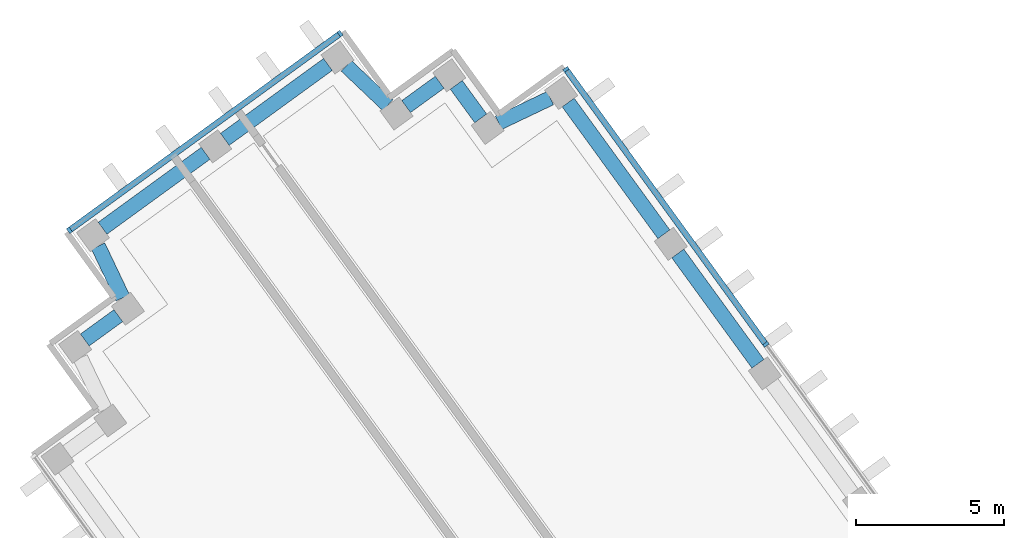
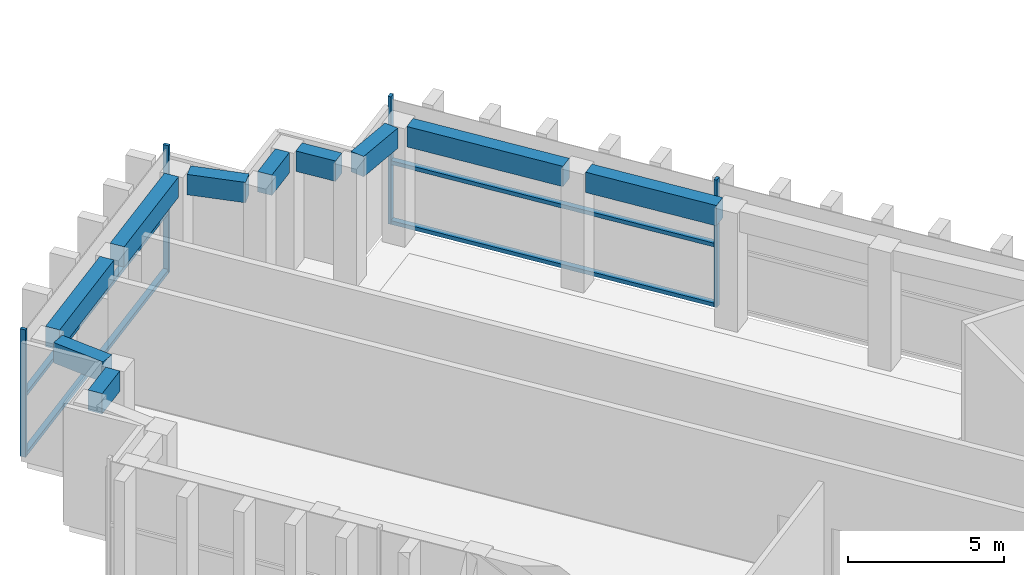
# One storey, part 4 of 14: 10 beams, 8 members, 2 elements without a shape of their own.
"""IFC4 building model written with IfcOpenShell, lengths in metres."""

from ifc_helpers import new_model, si_unit, direction, frame, origin, origin_2d, place, context, subcontext, project, spatial, rectangle, extrude, material, material_profile, profile_set, type_object, element, aggregate, save


model = new_model("IFC4")

# Units and contexts
model_context = context("Model", 3, precision=1e-05, world=origin(), true_north=direction((0.0, 1.0)))
body_context = subcontext(model_context, "Body", "Model", "MODEL_VIEW")
ifc_project = project(units=[si_unit("LENGTHUNIT", "METRE"), si_unit("AREAUNIT", "SQUARE_METRE"), si_unit("VOLUMEUNIT", "CUBIC_METRE"), si_unit("PLANEANGLEUNIT", "RADIAN"), si_unit("MASSUNIT", "GRAM", prefix="KILO")], contexts=[model_context])

# Site, building, storey
site_placement = place(None, origin())
site = spatial("IfcSite", under=ifc_project, at=site_placement, CompositionType="ELEMENT")
building_placement = place(site_placement, origin())
building = spatial("IfcBuilding", under=site, at=building_placement, Name="Quipu Civic Tower", CompositionType="ELEMENT")
storey_placement = place(building_placement, frame((0.0, 0.0, 139.0)))
storey = spatial("IfcBuildingStorey", under=building, at=storey_placement, Name="L32", CompositionType="ELEMENT", Elevation=139.0)

# Curtain wall, members
ifc_material_1 = material(Name="Insulated glass unit", Category="glass")
curtain_wall_type = type_object("IfcCurtainWallType", Name="Sky lobby and refuge curtain wall CW5", PredefinedType="NOTDEFINED", material=ifc_material_1)
curtain_wall_1_placement = place(storey_placement, origin())
curtain_wall_1 = element("IfcCurtainWall", 1, at=curtain_wall_1_placement, inside=storey, type_object=curtain_wall_type, Name="Sky lobby and refuge curtain wall CW5 L32 run 1", PredefinedType="NOTDEFINED")
ifc_material_2 = material(Name="Anodised aluminium", Category="aluminium")
ifc_material_profile_1 = material_profile(ifc_material_2, rectangle(XDim=0.199951171875, YDim=0.110107421875, at=origin_2d()), Name="RECT 200x110")
ifc_profile_set_1 = profile_set([ifc_material_profile_1], Name="Anodised aluminium")
member_type_1 = type_object("IfcMemberType", Name="Mullion CW5", PredefinedType="MULLION", material=ifc_profile_set_1)
member_1_placement = place(storey_placement, frame((-21.11669921875, 20.421630859375, 0.074951171875), z_axis=(0.0, 0.0, 1.0), x_axis=(-0.809014469803, -0.587788727052, 0.0)))
member_1 = element("IfcMember", 2, at=member_1_placement, type_object=member_type_1, Name="CW5 mullion 2", PredefinedType="MULLION", context=body_context, shape_type="SweptSolid", body=[
    extrude(rectangle(XDim=0.199951171875, YDim=0.110107421875, at=origin_2d()), origin(), (0.0, 0.0, 1.0), 5.0),
])
member_2_placement = place(storey_placement, frame((-27.857177734375, 29.69873046875, 0.074951171875), z_axis=(0.0, 0.0, 1.0), x_axis=(-0.809014469803, -0.587788727052, 0.0)))
member_2 = element("IfcMember", 3, at=member_2_placement, type_object=member_type_1, Name="CW5 mullion 3", PredefinedType="MULLION", context=body_context, shape_type="SweptSolid", body=[
    extrude(rectangle(XDim=0.199951171875, YDim=0.110107421875, at=origin_2d()), origin(), (0.0, 0.0, 1.0), 5.0),
])

curtain_wall_2_placement = place(storey_placement, origin())
curtain_wall_2 = element("IfcCurtainWall", 4, at=curtain_wall_2_placement, inside=storey, type_object=curtain_wall_type, Name="Sky lobby and refuge curtain wall CW5 L32 run 6", PredefinedType="NOTDEFINED")
member_3_placement = place(storey_placement, frame((-35.4765625, 30.905517578125, 0.074951171875), z_axis=(0.0, 0.0, 1.0), x_axis=(0.587787753918, -0.809015176832, 0.0)))
member_3 = element("IfcMember", 5, at=member_3_placement, type_object=member_type_1, Name="CW5 mullion 1", PredefinedType="MULLION", context=body_context, shape_type="SweptSolid", body=[
    extrude(rectangle(XDim=0.199951171875, YDim=0.110107421875, at=origin_2d()), origin(), (0.0, 0.0, 1.0), 5.0),
])
member_4_placement = place(storey_placement, frame((-44.6103515625, 24.26953125, 0.074951171875), z_axis=(0.0, 0.0, 1.0), x_axis=(0.587787753918, -0.809015176832, 0.0)))
member_4 = element("IfcMember", 6, at=member_4_placement, type_object=member_type_1, Name="CW5 mullion 2", PredefinedType="MULLION", context=body_context, shape_type="SweptSolid", body=[
    extrude(rectangle(XDim=0.199951171875, YDim=0.110107421875, at=origin_2d()), origin(), (0.0, 0.0, 1.0), 5.0),
])

# Beams
ifc_material_3 = material(Name="Concrete C50/60", Category="concrete")
ifc_material_profile_2 = material_profile(ifc_material_3, rectangle(XDim=0.5, YDim=0.800048828125, at=origin_2d()), Name="RC500x800")
ifc_profile_set_2 = profile_set([ifc_material_profile_2], Name="Concrete C50/60")
beam_type = type_object("IfcBeamType", Name="Spandrel beam RC 500x800 C50/60", PredefinedType="SPANDREL", material=ifc_profile_set_2)
beam_1_placement = place(storey_placement, frame((-21.382568359375, 19.767333984375, 4.25), z_axis=(-0.587736122681, 0.809052686848, 0.0), x_axis=(-0.809052686848, -0.587736122681, 0.0)))
element("IfcBeam", 7, at=beam_1_placement, inside=storey, type_object=beam_type, Name="Spandrel beam L32 W-IN-02 to W-IN-03", PredefinedType="SPANDREL", context=body_context, shape_type="SweptSolid", body=[
    extrude(rectangle(XDim=0.5, YDim=0.800048828125, at=origin_2d()), origin(), (0.0, 0.0, 1.0), 4.60009765625),
])
beam_2_placement = place(storey_placement, frame((-24.556396484375, 24.13623046875, 4.25), z_axis=(-0.587664254196, 0.809104890815, 0.0), x_axis=(-0.809104890815, -0.587664254196, 0.0)))
element("IfcBeam", 8, at=beam_2_placement, inside=storey, type_object=beam_type, Name="Spandrel beam L32 W-IN-03 to T-Wi.0-W34", PredefinedType="SPANDREL", context=body_context, shape_type="SweptSolid", body=[
    extrude(rectangle(XDim=0.5, YDim=0.800048828125, at=origin_2d()), origin(), (0.0, 0.0, 1.0), 5.493896484375),
])
beam_3_placement = place(storey_placement, frame((-28.38720703125, 28.72998046875, 4.25), z_axis=(-0.902584802379, -0.430512107279, 0.0), x_axis=(0.430512107279, -0.902584802379, 0.0)))
element("IfcBeam", 9, at=beam_3_placement, inside=storey, type_object=beam_type, Name="Spandrel beam L32 T-Wi.0-W34 to T-Wi.1-W34", PredefinedType="SPANDREL", context=body_context, shape_type="SweptSolid", body=[
    extrude(rectangle(XDim=0.5, YDim=0.800048828125, at=origin_2d()), origin(), (0.0, 0.0, 1.0), 1.9326171875),
])
beam_4_placement = place(storey_placement, frame((-30.734375, 28.0458984375, 4.25), z_axis=(-0.589342949835, 0.80788296645, 0.0), x_axis=(-0.80788296645, -0.589342949835, 0.0)))
element("IfcBeam", 10, at=beam_4_placement, inside=storey, type_object=beam_type, Name="Spandrel beam L32 T-Wi.1-W34 to T-Wi.2-W34", PredefinedType="SPANDREL", context=body_context, shape_type="SweptSolid", body=[
    extrude(rectangle(XDim=0.5, YDim=0.800048828125, at=origin_2d()), origin(), (0.0, 0.0, 1.0), 1.39990234375),
])
beam_5_placement = place(storey_placement, frame((-32.118896484375, 29.26513671875, 4.25), z_axis=(-0.80941533633, -0.587236590578, 0.0), x_axis=(0.587236590578, -0.80941533633, 0.0)))
element("IfcBeam", 11, at=beam_5_placement, inside=storey, type_object=beam_type, Name="Spandrel beam L32 T-Wi.2-W34 to T-Wi.3-W34", PredefinedType="SPANDREL", context=body_context, shape_type="SweptSolid", body=[
    extrude(rectangle(XDim=0.5, YDim=0.800048828125, at=origin_2d()), origin(), (0.0, 0.0, 1.0), 1.397705078125),
])
beam_6_placement = place(storey_placement, frame((-33.868896484375, 28.489501953125, 4.25), z_axis=(-0.72519185421, 0.68854685722, 0.0), x_axis=(-0.68854685722, -0.72519185421, 0.0)))
element("IfcBeam", 12, at=beam_6_placement, inside=storey, type_object=beam_type, Name="Spandrel beam L32 T-Wi.3-W34 to T-Wi.4-W34", PredefinedType="SPANDREL", context=body_context, shape_type="SweptSolid", body=[
    extrude(rectangle(XDim=0.5, YDim=0.800048828125, at=origin_2d()), origin(), (0.0, 0.0, 1.0), 1.93212890625),
])
beam_7_placement = place(storey_placement, frame((-35.888671875, 29.86474609375, 4.25), z_axis=(-0.808983997561, -0.58783066583, 0.0), x_axis=(0.58783066583, -0.808983997561, 0.0)))
element("IfcBeam", 13, at=beam_7_placement, inside=storey, type_object=beam_type, Name="Spandrel beam L32 T-Wi.4-W34 to TIP-W-01-W34", PredefinedType="SPANDREL", context=body_context, shape_type="SweptSolid", body=[
    extrude(rectangle(XDim=0.5, YDim=0.800048828125, at=origin_2d()), origin(), (0.0, 0.0, 1.0), 4.2998046875),
])
beam_8_placement = place(storey_placement, frame((-40.014404296875, 26.866943359375, 4.25), z_axis=(-0.808947267178, -0.587881211578, 0.0), x_axis=(0.587881211578, -0.808947267178, 0.0)))
element("IfcBeam", 14, at=beam_8_placement, inside=storey, type_object=beam_type, Name="Spandrel beam L32 TIP-W-01-W34 to T-Wo.0-W34", PredefinedType="SPANDREL", context=body_context, shape_type="SweptSolid", body=[
    extrude(rectangle(XDim=0.5, YDim=0.800048828125, at=origin_2d()), origin(), (0.0, 0.0, 1.0), 4.29833984375),
])
beam_9_placement = place(storey_placement, frame((-43.64013671875, 23.737548828125, 4.25), z_axis=(0.429889421342, -0.902881545618, 0.0), x_axis=(0.902881545618, 0.429889421342, 0.0)))
element("IfcBeam", 15, at=beam_9_placement, inside=storey, type_object=beam_type, Name="Spandrel beam L32 T-Wo.0-W34 to T-Wo.1-W34", PredefinedType="SPANDREL", context=body_context, shape_type="SweptSolid", body=[
    extrude(rectangle(XDim=0.5, YDim=0.800048828125, at=origin_2d()), origin(), (0.0, 0.0, 1.0), 1.931396484375),
])
beam_10_placement = place(storey_placement, frame((-42.958740234375, 21.391357421875, 4.25), z_axis=(-0.809467380413, -0.587164849125, 0.0), x_axis=(0.587164849125, -0.809467380413, 0.0)))
element("IfcBeam", 16, at=beam_10_placement, inside=storey, type_object=beam_type, Name="Spandrel beam L32 T-Wo.1-W34 to T-Wo.2-W34", PredefinedType="SPANDREL", context=body_context, shape_type="SweptSolid", body=[
    extrude(rectangle(XDim=0.5, YDim=0.800048828125, at=origin_2d()), origin(), (0.0, 0.0, 1.0), 1.399169921875),
])

# Member
ifc_material_4 = material(Name="Anodised aluminium", Category="aluminium")
ifc_material_profile_3 = material_profile(ifc_material_4, rectangle(XDim=0.199951171875, YDim=0.14990234375, at=origin_2d()), Name="RECT 200x150")
ifc_profile_set_3 = profile_set([ifc_material_profile_3], Name="Anodised aluminium")
member_type_2 = type_object("IfcMemberType", Name="Transom CW5", PredefinedType="USERDEFINED", material=ifc_profile_set_3)
member_5_placement = place(storey_placement, frame((-21.149169921875, 20.466064453125, 0.14990234375), z_axis=(-0.587779229881, 0.809021369878, 0.0), x_axis=(-0.809021369878, -0.587779229881, 0.0)))
member_5 = element("IfcMember", 17, at=member_5_placement, type_object=member_type_2, Name="CW5 transom 2.1", ObjectType="TRANSOM", PredefinedType="USERDEFINED", context=body_context, shape_type="SweptSolid", body=[
    extrude(rectangle(XDim=0.199951171875, YDim=0.14990234375, at=origin_2d()), origin(), (0.0, 0.0, 1.0), 11.357177734375),
])

member_6_placement = place(storey_placement, frame((-21.149169921875, 20.466064453125, 2.5), z_axis=(-0.587779229881, 0.809021369878, 0.0), x_axis=(-0.809021369878, -0.587779229881, 0.0)))
member_6 = element("IfcMember", 18, at=member_6_placement, type_object=member_type_2, Name="CW5 transom 2.2", ObjectType="TRANSOM", PredefinedType="USERDEFINED", context=body_context, shape_type="SweptSolid", body=[
    extrude(rectangle(XDim=0.199951171875, YDim=0.14990234375, at=origin_2d()), origin(), (0.0, 0.0, 1.0), 11.357177734375),
])

aggregate(curtain_wall_1, [member_1, member_2, member_5, member_6])

member_7_placement = place(storey_placement, frame((-35.52099609375, 30.873291015625, 0.14990234375), z_axis=(-0.809016450014, -0.58778600154, 0.0), x_axis=(0.58778600154, -0.809016450014, 0.0)))
member_7 = element("IfcMember", 19, at=member_7_placement, type_object=member_type_2, Name="CW5 transom 1.1", ObjectType="TRANSOM", PredefinedType="USERDEFINED", context=body_context, shape_type="SweptSolid", body=[
    extrude(rectangle(XDim=0.199951171875, YDim=0.14990234375, at=origin_2d()), origin(), (0.0, 0.0, 1.0), 11.18017578125),
])

member_8_placement = place(storey_placement, frame((-35.52099609375, 30.873291015625, 2.5), z_axis=(-0.809016450014, -0.58778600154, 0.0), x_axis=(0.58778600154, -0.809016450014, 0.0)))
member_8 = element("IfcMember", 20, at=member_8_placement, type_object=member_type_2, Name="CW5 transom 1.2", ObjectType="TRANSOM", PredefinedType="USERDEFINED", context=body_context, shape_type="SweptSolid", body=[
    extrude(rectangle(XDim=0.199951171875, YDim=0.14990234375, at=origin_2d()), origin(), (0.0, 0.0, 1.0), 11.18017578125),
])

aggregate(curtain_wall_2, [member_3, member_4, member_7, member_8])

save(model, "model.ifc")
